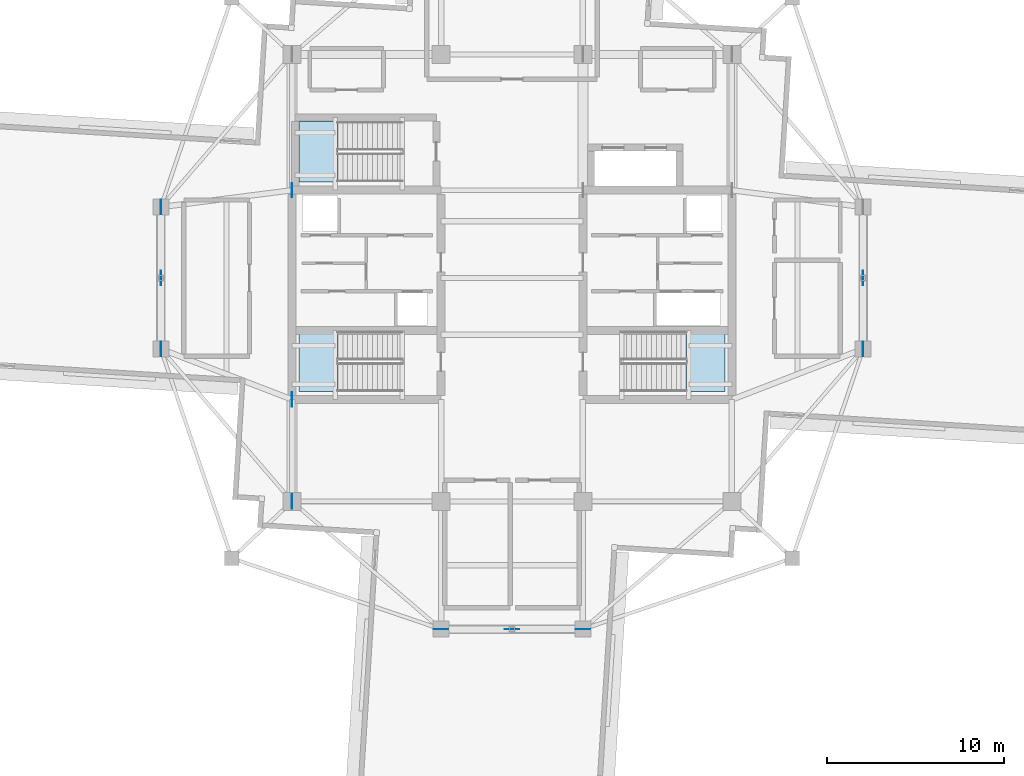
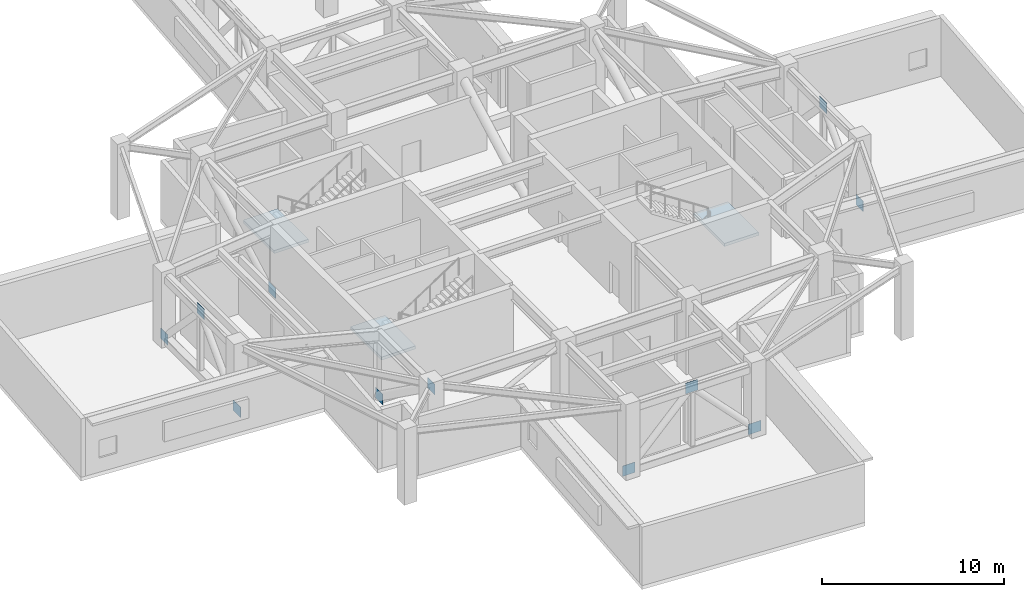
# One storey, part 5 of 14: 11 plates, 3 slabs, 3 elements without a shape of their own.
"""IFC4 building model written with IfcOpenShell, lengths in metres."""

from ifc_helpers import new_model, si_unit, direction, frame, origin, origin_2d, place, context, subcontext, project, spatial, polyline, rectangle, outline, extrude, material, layer, layer_set, type_object, element, aggregate, save


model = new_model("IFC4")

# Units and contexts
model_context = context("Model", 3, precision=1e-05, world=origin(), true_north=direction((0.0, 1.0)))
body_context = subcontext(model_context, "Body", "Model", "MODEL_VIEW")
ifc_project = project(units=[si_unit("LENGTHUNIT", "METRE"), si_unit("AREAUNIT", "SQUARE_METRE"), si_unit("VOLUMEUNIT", "CUBIC_METRE"), si_unit("PLANEANGLEUNIT", "RADIAN"), si_unit("MASSUNIT", "GRAM", prefix="KILO")], contexts=[model_context])

# Site, building, storey
site_placement = place(None, origin())
site = spatial("IfcSite", under=ifc_project, at=site_placement, CompositionType="ELEMENT")
building_placement = place(site_placement, origin())
building = spatial("IfcBuilding", under=site, at=building_placement, Name="Qingluan Cross Belvedere", CompositionType="ELEMENT")
storey_placement = place(building_placement, frame((0.0, 0.0, 240.300048828125)))
storey = spatial("IfcBuildingStorey", under=building, at=storey_placement, Name="L60", CompositionType="ELEMENT", Elevation=240.300048828125)

# Plates
ifc_material_1 = material(Name="Steel Q420GJB", Category="steel")
ifc_layer_1 = layer(ifc_material_1, 0.02490234375, Name="GussetPlate_25")
ifc_layer_set_1 = layer_set([ifc_layer_1], Name="Steel Q420GJB")
plate_type = type_object("IfcPlateType", Name="GussetPlate_25", PredefinedType="SHEET", material=ifc_layer_set_1)
for number, where, z_axis, x_axis, name in (
    (1, (19.800048828125, 0.0, 4.14990234375), (0.0, 0.0, 1.0), (0.0, 1.0, 0.0), "Belt truss gusset node plate L60-E-M"),
    (2, (19.800048828125, -4.0, 0.0), (0.0, 0.0, 1.0), (0.0, 1.0, 0.0), "Belt truss gusset node plate L60-E-A"),
    (3, (-19.800048828125, 0.0, 4.14990234375), (0.0, 0.0, 1.0), (0.0, 1.0, 0.0), "Belt truss gusset node plate L60-W-M"),
    (4, (-19.800048828125, 4.0, 0.0), (0.0, 0.0, 1.0), (0.0, 1.0, 0.0), "Belt truss gusset node plate L60-W-B"),
    (5, (-19.800048828125, -4.0, 0.0), (0.0, 0.0, 1.0), (0.0, 1.0, 0.0), "Belt truss gusset node plate L60-W-A"),
    (6, (0.0, -19.800048828125, 4.14990234375), (0.0, 0.0, 1.0), (1.0, 0.0, 0.0), "Belt truss gusset node plate L60-S-M"),
    (7, (4.0, -19.800048828125, 0.0), (0.0, 0.0, 1.0), (1.0, 0.0, 0.0), "Belt truss gusset node plate L60-S-B"),
    (8, (-4.0, -19.800048828125, 0.0), (0.0, 0.0, 1.0), (1.0, 0.0, 0.0), "Belt truss gusset node plate L60-S-A"),
    (9, (-12.39990234375, 4.949951171875, 0.0), (0.0, 0.0, 1.0), (0.0, 1.0, 0.0), "Outrigger end connection plate L60-OWN-BOT"),
    (10, (-12.39990234375, -6.85009765625, 0.0), (0.0, 0.0, 1.0), (0.0, 1.0, 0.0), "Outrigger end connection plate L60-OWS-BOT"),
    (11, (-12.39990234375, -12.60009765625, 4.14990234375), (0.0, 0.0, 1.0), (0.0, 1.0, 0.0), "Outrigger end connection plate L60-OWS-TOP"),
):
    element("IfcPlate", number, at=place(storey_placement, frame(where, z_axis=z_axis, x_axis=x_axis)), inside=storey, type_object=plate_type, Name=name, PredefinedType="SHEET", context=body_context, shape_type="SweptSolid", body=[
        extrude(rectangle(XDim=0.800048828125, YDim=0.02490234375, at=origin_2d()), origin(), (0.0, 0.0, 1.0), 0.699951171875),
    ])

# Stair, slab
ifc_material_2 = material(Name="Concrete C40", Category="concrete")
stair_type = type_object("IfcStairType", Name="CoreDoglegStair_1620", PredefinedType="HALF_TURN_STAIR", material=ifc_material_2)
stair_1_placement = place(storey_placement, origin())
stair_1 = element("IfcStair", 12, at=stair_1_placement, inside=storey, type_object=stair_type, Name="L60 ST1", PredefinedType="HALF_TURN_STAIR")
ifc_material_3 = material(Name="Concrete C40", Category="concrete")
ifc_layer_2 = layer(ifc_material_3, 0.179931640625, Name="StairLandingSlab_180")
ifc_layer_set_2 = layer_set([ifc_layer_2], Name="Concrete C40")
slab_type = type_object("IfcSlabType", Name="StairLandingSlab_180", PredefinedType="LANDING", material=ifc_layer_set_2)
slab_1_placement = place(storey_placement, frame((0.0, 0.0, 2.349853515625)))
slab_1 = element("IfcSlab", 13, at=slab_1_placement, type_object=slab_type, Name="ST1 landing 1", PredefinedType="LANDING", context=body_context, shape_type="SweptSolid", body=[
    extrude(outline(polyline([(-9.820068359375, -3.0), (-12.0, -3.0), (-12.0, -6.39990234375), (-9.820068359375, -6.39990234375), (-9.820068359375, -3.0)])), origin(), (0.0, 0.0, 1.0), 0.2001953125),
])
aggregate(stair_1, [slab_1])

stair_2_placement = place(storey_placement, origin())
stair_2 = element("IfcStair", 14, at=stair_2_placement, inside=storey, type_object=stair_type, Name="L60 ST2", PredefinedType="HALF_TURN_STAIR")
slab_2_placement = place(storey_placement, frame((0.0, 0.0, 2.349853515625)))
slab_2 = element("IfcSlab", 15, at=slab_2_placement, type_object=slab_type, Name="ST2 landing 1", PredefinedType="LANDING", context=body_context, shape_type="SweptSolid", body=[
    extrude(outline(polyline([(9.820068359375, -6.39990234375), (12.0, -6.39990234375), (12.0, -3.0), (9.820068359375, -3.0), (9.820068359375, -6.39990234375)])), origin(), (0.0, 0.0, 1.0), 0.2001953125),
])
aggregate(stair_2, [slab_2])

stair_3_placement = place(storey_placement, origin())
stair_3 = element("IfcStair", 16, at=stair_3_placement, inside=storey, type_object=stair_type, Name="L60 ST3", PredefinedType="HALF_TURN_STAIR")
slab_3_placement = place(storey_placement, frame((0.0, 0.0, 2.349853515625)))
slab_3 = element("IfcSlab", 17, at=slab_3_placement, type_object=slab_type, Name="ST3 landing 1", PredefinedType="LANDING", context=body_context, shape_type="SweptSolid", body=[
    extrude(outline(polyline([(-9.820068359375, 8.820068359375), (-12.0, 8.820068359375), (-12.0, 5.419921875), (-9.820068359375, 5.419921875), (-9.820068359375, 8.820068359375)])), origin(), (0.0, 0.0, 1.0), 0.2001953125),
])
aggregate(stair_3, [slab_3])

save(model, "model.ifc")
